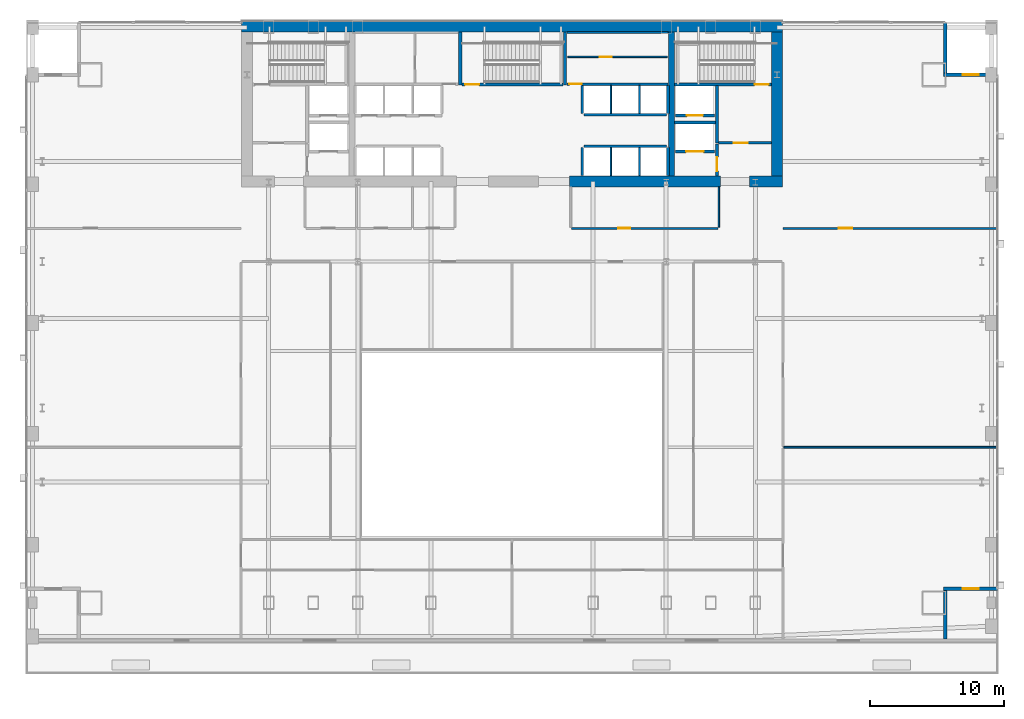
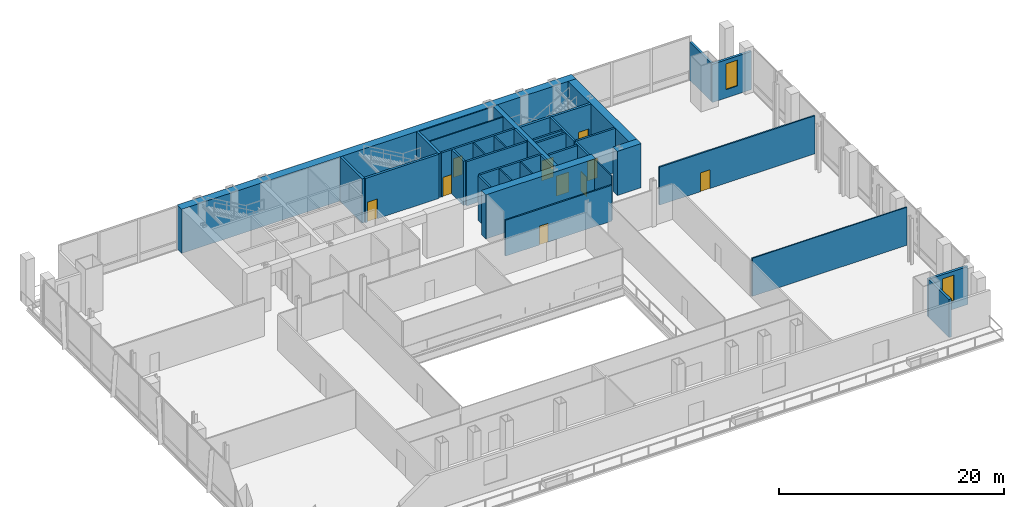
# One storey, part 22 of 26: 36 walls, 10 doors, 2 windows, 12 openings.
"""IFC4 building model written with IfcOpenShell, lengths in metres."""

import ifcopenshell
import ifcopenshell.guid

model = None  # the IFC model being written
_history = None  # IfcOwnerHistory: only IFC2X3 demands one
_inside = {}  # id of a spatial element -> (the spatial element, [elements in it])
_under = {}  # id of a project, library or spatial element -> (it, [spatial elements below it])
_declared = {}  # id of a project -> (the project, [libraries it declares])
_typed = {}  # id of a type object -> (the type object, [elements of that type])
_made_of = {}  # id of a material, layer set ... -> (it, [elements and type objects made of it])


def new_model(schema):
    """Start an empty IFC model of exactly this schema.

    Asked for "IFC4X3", IfcOpenShell would pick the latest addendum, in which some entities
    have other attributes; the version numbers below select the first issue.
    IFC2X3 requires an IfcOwnerHistory on every rooted entity: one is made here for all.
    """
    global model, _history
    if schema == "IFC4X3":
        model = ifcopenshell.file(schema_version=(4, 3, 0, 0))
    else:
        model = ifcopenshell.file(schema=schema)
    _inside.clear()
    _under.clear()
    _declared.clear()
    _typed.clear()
    _made_of.clear()
    _history = None
    if model.schema == "IFC2X3":
        org = make("IfcOrganization", Name="unknown")
        user = make(
            "IfcPersonAndOrganization",
            ThePerson=make("IfcPerson", FamilyName="unknown"),
            TheOrganization=org,
        )
        app = make(
            "IfcApplication",
            ApplicationDeveloper=org,
            Version="unknown",
            ApplicationFullName="unknown",
            ApplicationIdentifier="unknown",
        )
        _history = make(
            "IfcOwnerHistory",
            OwningUser=user,
            OwningApplication=app,
            ChangeAction="ADDED",
            CreationDate=0,
        )
    return model


def make(cls, **values):
    """One entity of the class cls with the attributes given. An attribute that is None is left unset."""
    return model.create_entity(
        cls, **{name: value for name, value in values.items() if value is not None}
    )


def rooted(cls, **values):
    """An entity with a GlobalId (a new one), such as an element, a storey or a relation."""
    return make(cls, GlobalId=ifcopenshell.guid.new(), OwnerHistory=_history, **values)


def si_unit(unit_type, name, prefix=None):
    """IfcSIUnit, for example si_unit("LENGTHUNIT", "METRE", prefix="MILLI")."""
    return make("IfcSIUnit", UnitType=unit_type, Prefix=prefix, Name=name)


def assignment(units):
    """IfcUnitAssignment: the units of a project."""
    return None if units is None else make("IfcUnitAssignment", Units=units)


def point(xyz):
    """IfcCartesianPoint."""
    return None if xyz is None else make("IfcCartesianPoint", Coordinates=xyz)


def direction(xyz):
    """IfcDirection."""
    return None if xyz is None else make("IfcDirection", DirectionRatios=xyz)


def frame(location, z_axis=None, x_axis=None):
    """IfcAxis2Placement3D, a coordinate frame: its origin and axes. An axis left out is left unset."""
    return make(
        "IfcAxis2Placement3D",
        Location=point(location),
        Axis=direction(z_axis),
        RefDirection=direction(x_axis),
    )


def frame_2d(location, x_axis=None):
    """IfcAxis2Placement2D, a coordinate frame in the plane: its origin and x axis."""
    return make(
        "IfcAxis2Placement2D", Location=point(location), RefDirection=direction(x_axis)
    )


def origin():
    """The frame at (0, 0, 0) with its axes left unset."""
    return frame((0.0, 0.0, 0.0))


def place(relative_to, where):
    """IfcLocalPlacement: puts the frame where relative to a parent placement (None: the world)."""
    return make(
        "IfcLocalPlacement", PlacementRelTo=relative_to, RelativePlacement=where
    )


def context(
    kind, dimensions, precision=None, world=None, true_north=None, identifier=None
):
    """IfcGeometricRepresentationContext, for example the 3D "Model" context."""
    return make(
        "IfcGeometricRepresentationContext",
        ContextIdentifier=identifier,
        ContextType=kind,
        CoordinateSpaceDimension=dimensions,
        Precision=precision,
        WorldCoordinateSystem=world,
        TrueNorth=true_north,
    )


def subcontext(parent, identifier, kind, view, scale=None):
    """IfcGeometricRepresentationSubContext, for example "Body" below "Model"."""
    return make(
        "IfcGeometricRepresentationSubContext",
        ContextIdentifier=identifier,
        ContextType=kind,
        ParentContext=parent,
        TargetScale=scale,
        TargetView=view,
    )


def project(units=None, contexts=None):
    """IfcProject with its units and contexts."""
    return rooted(
        "IfcProject",
        Name="project",
        RepresentationContexts=contexts,
        UnitsInContext=assignment(units),
    )


def spatial(cls, under=None, at=None, **own):
    """A site, building, storey or space (cls), placed at a placement, below another one or the project."""
    s = rooted(cls, ObjectPlacement=at, **own)
    if under is not None:
        _under.setdefault(under.id(), (under, []))[1].append(s)
    return s


def profile(cls, at=None, kind="AREA", **sizes):
    """A parametric profile (cls). Its sizes go by their IFC names, for example OverallWidth=200.0."""
    return make(cls, ProfileType=kind, Position=at, **sizes)


def rectangle(**sizes):
    """IfcRectangleProfileDef."""
    return profile("IfcRectangleProfileDef", **sizes)


def extrude(swept, where, along, depth):
    """IfcExtrudedAreaSolid: the profile swept, set in the frame where, extruded along a direction by depth."""
    return make(
        "IfcExtrudedAreaSolid",
        SweptArea=swept,
        Position=where,
        ExtrudedDirection=direction(along),
        Depth=depth,
    )


def shape(context_of_items, identifier, shape_type, items):
    """IfcShapeRepresentation: the items that make up one representation, for example the "Body"."""
    return make(
        "IfcShapeRepresentation",
        ContextOfItems=context_of_items,
        RepresentationIdentifier=identifier,
        RepresentationType=shape_type,
        Items=items,
    )


def material(Name=None, Category=None):
    """IfcMaterial."""
    return make("IfcMaterial", Name=Name, Category=Category)


def layer(
    of_material, thickness, ventilated=None, Name=None, Category=None, Priority=None
):
    """IfcMaterialLayer: one layer of a wall or slab, of a material (None: an air gap)."""
    return make(
        "IfcMaterialLayer",
        Material=of_material,
        LayerThickness=thickness,
        IsVentilated=ventilated,
        Name=Name,
        Category=Category,
        Priority=Priority,
    )


def layer_set(layers, Name=None):
    """IfcMaterialLayerSet."""
    return make("IfcMaterialLayerSet", MaterialLayers=layers, LayerSetName=Name)


def made_of(thing, what):
    """Note that an element or type object is made of a material, layer set ...; save() writes the relation."""
    if what is not None:
        _made_of.setdefault(what.id(), (what, []))[1].append(thing)
    return thing


def type_object(cls, material=None, **own):
    """A type object (cls), such as IfcWallType, which elements share."""
    return made_of(rooted(cls, **own), material)


def element(
    cls,
    number,
    at=None,
    inside=None,
    cuts=None,
    type_object=None,
    material=None,
    context=None,
    identifier="Body",
    shape_type=None,
    held_by="IfcProductDefinitionShape",
    body=None,
    shapes=None,
    **own,
):
    """One element of the class cls, such as IfcWall. Its Tag is "e" and its number.

    at: its placement. inside: the storey or other place that contains it. cuts: it is an
    opening in that element (IfcRelVoidsElement). A single representation is given by context,
    identifier, shape_type and body (its items); several are given by shapes. held_by: the class
    of the entity that holds the representations. save() writes the other relations.
    """
    e = rooted(cls, Tag="e%d" % number, ObjectPlacement=at, **own)
    if body is not None:
        shapes = [shape(context, identifier, shape_type, body)]
    if shapes is not None:
        e.Representation = make(held_by, Representations=shapes)
    if inside is not None:
        _inside.setdefault(inside.id(), (inside, []))[1].append(e)
    if cuts is not None:
        rooted(
            "IfcRelVoidsElement", RelatingBuildingElement=cuts, RelatedOpeningElement=e
        )
    if type_object is not None:
        _typed.setdefault(type_object.id(), (type_object, []))[1].append(e)
    return made_of(e, material)


def fill(opening, filler):
    """IfcRelFillsElement: the door or window that sits in an opening."""
    return rooted(
        "IfcRelFillsElement",
        RelatingOpeningElement=opening,
        RelatedBuildingElement=filler,
    )


def aggregate(whole, parts):
    """IfcRelAggregates: a whole, such as a stair, and the parts it consists of."""
    return rooted("IfcRelAggregates", RelatingObject=whole, RelatedObjects=parts)


def save(model, path):
    """Write the relations noted so far, then the file.

    IfcRelAggregates (storeys below a building ...), IfcRelContainedInSpatialStructure (elements
    in a storey), IfcRelDefinesByType, IfcRelAssociatesMaterial and IfcRelDeclares: one each for
    every whole, place, type object, material and project.
    """
    for whole, parts in _under.values():
        aggregate(whole, parts)
    for where, things in _inside.values():
        rooted(
            "IfcRelContainedInSpatialStructure",
            RelatedElements=things,
            RelatingStructure=where,
        )
    for kind, things in _typed.values():
        rooted("IfcRelDefinesByType", RelatedObjects=things, RelatingType=kind)
    for what, things in _made_of.values():
        rooted("IfcRelAssociatesMaterial", RelatedObjects=things, RelatingMaterial=what)
    for by, libraries in _declared.values():
        rooted("IfcRelDeclares", RelatingContext=by, RelatedDefinitions=libraries)
    model.write(path)


model = new_model("IFC4")

# Units and contexts
model_context = context("Model", 3, precision=1e-05, world=origin(), true_north=direction((0.0, 1.0)))
body_context = subcontext(model_context, "Body", "Model", "MODEL_VIEW")
ifc_project = project(units=[si_unit("LENGTHUNIT", "METRE"), si_unit("AREAUNIT", "SQUARE_METRE"), si_unit("VOLUMEUNIT", "CUBIC_METRE"), si_unit("PLANEANGLEUNIT", "RADIAN"), si_unit("MASSUNIT", "GRAM", prefix="KILO")], contexts=[model_context])

# Site, building, storey
site_placement = place(None, origin())
site = spatial("IfcSite", under=ifc_project, at=site_placement, CompositionType="ELEMENT")
building_placement = place(site_placement, origin())
building = spatial("IfcBuilding", under=site, at=building_placement, Name="Khoronbel Lancet Exchange", CompositionType="ELEMENT")
storey_placement = place(building_placement, frame((0.0, 0.0, 5.39990234375)))
storey = spatial("IfcBuildingStorey", under=building, at=storey_placement, Name="L01", CompositionType="ELEMENT", Elevation=5.39990234375)

# Walls
ifc_material_1 = material(Name="Concrete C80/95", Category="concrete")
ifc_layer_1 = layer(ifc_material_1, 0.800048828125, Name="Concrete C80/95")
ifc_layer_set_1 = layer_set([ifc_layer_1], Name="Concrete C80/95")
wall_type_1 = type_object("IfcWallType", Name="WL-CW1", PredefinedType="SHEAR", material=ifc_layer_set_1)
wall_1_placement = place(storey_placement, frame((16.199951171875, 53.300048828125, 0.0), z_axis=(0.0, 0.0, 1.0), x_axis=(1.0, 0.0, 0.0)))
element("IfcWall", 1, at=wall_1_placement, inside=storey, type_object=wall_type_1, Name="Level L01 rear core north shear wall", PredefinedType="SHEAR", context=body_context, shape_type="SweptSolid", body=[
    extrude(rectangle(XDim=40.5, YDim=0.800048828125, at=frame_2d((20.25, 0.0))), origin(), (0.0, 0.0, 1.0), 4.800048828125),
])
wall_2_placement = place(storey_placement, frame((56.300048828125, 52.89990234375, 0.0), z_axis=(0.0, 0.0, 1.0), x_axis=(0.0, -1.0, 0.0)))
element("IfcWall", 2, at=wall_2_placement, inside=storey, type_object=wall_type_1, Name="Level L01 rear core east shear wall", PredefinedType="SHEAR", context=body_context, shape_type="SweptSolid", body=[
    extrude(rectangle(XDim=10.7998046875, YDim=0.800048828125, at=frame_2d((5.39990234375, 0.0))), origin(), (0.0, 0.0, 1.0), 4.800048828125),
])
wall_3_placement = place(storey_placement, frame((52.050048828125, 41.699951171875, 0.0), z_axis=(0.0, 0.0, 1.0), x_axis=(-1.0, 0.0, 0.0)))
element("IfcWall", 3, at=wall_3_placement, inside=storey, type_object=wall_type_1, Name="Level L01 rear core south shear wall pier P4", PredefinedType="SHEAR", context=body_context, shape_type="SweptSolid", body=[
    extrude(rectangle(XDim=11.300048828125, YDim=0.800048828125, at=frame_2d((5.64990234375, 0.0))), origin(), (0.0, 0.0, 1.0), 4.800048828125),
])
wall_4_placement = place(storey_placement, frame((56.699951171875, 41.699951171875, 0.0), z_axis=(0.0, 0.0, 1.0), x_axis=(-1.0, 0.0, 0.0)))
element("IfcWall", 4, at=wall_4_placement, inside=storey, type_object=wall_type_1, Name="Level L01 rear core south shear wall pier P5", PredefinedType="SHEAR", context=body_context, shape_type="SweptSolid", body=[
    extrude(rectangle(XDim=2.449951171875, YDim=0.800048828125, at=frame_2d((1.22509765625, 0.0))), origin(), (0.0, 0.0, 1.0), 4.800048828125),
])

# Wall, opening, window
ifc_material_2 = material(Name="Precast concrete C40/50", Category="concrete")
ifc_layer_2 = layer(ifc_material_2, 0.25, Name="Precast concrete C40/50")
ifc_layer_set_2 = layer_set([ifc_layer_2], Name="Precast concrete C40/50")
wall_type_2 = type_object("IfcWallType", Name="WL-EXT250", PredefinedType="SOLIDWALL", material=ifc_layer_set_2)
wall_5_placement = place(storey_placement, frame((68.77490234375, 49.699951171875, 0.0), z_axis=(0.0, 0.0, 1.0), x_axis=(1.0, 0.0, 0.0)))
wall_5 = element("IfcWall", 5, at=wall_5_placement, inside=storey, type_object=wall_type_2, Name="Level L01 corner notch exterior wall NEL1", PredefinedType="SOLIDWALL", context=body_context, shape_type="SweptSolid", body=[
    extrude(rectangle(XDim=4.045166015625, YDim=0.25, at=frame_2d((2.0224609375, 0.0))), origin(), (0.0, 0.0, 1.0), 4.14013671875),
])
opening_1_placement = place(wall_5_placement, frame((1.422607421875, 0.0, 0.89990234375)))
opening_1 = element("IfcOpeningElement", 6, at=opening_1_placement, cuts=wall_5, Name="Opening W2", PredefinedType="OPENING", context=body_context, shape_type="SweptSolid", body=[
    extrude(rectangle(XDim=1.199951171875, YDim=2.800048828125, at=frame_2d((0.60009765625, 1.39990234375))), frame((0.0, 0.135009765625, 0.0), z_axis=(0.0, -1.0, 0.0), x_axis=(1.0, 0.0, 0.0)), (0.0, 0.0, 1.0), 0.27001953125),
])
ifc_material_3 = material(Name="Low-E Solar Control Insulating Glass", Category="glass")
window_type = type_object("IfcWindowType", Name="WIN-W2", PartitioningType="SINGLE_PANEL", PredefinedType="WINDOW", material=ifc_material_3)
window_1_placement = place(opening_1_placement, origin())
window_1 = element("IfcWindow", 7, at=window_1_placement, inside=storey, type_object=window_type, Name="WIN-L01-NEL1", OverallHeight=2.800048828125, OverallWidth=1.199951171875, PartitioningType="SINGLE_PANEL", PredefinedType="WINDOW", context=body_context, shape_type="SweptSolid", body=[
    extrude(rectangle(XDim=1.199951171875, YDim=2.800048828125, at=frame_2d((0.60009765625, 1.39990234375))), frame((0.0, 0.030029296875, 0.0), z_axis=(0.0, -1.0, 0.0), x_axis=(1.0, 0.0, 0.0)), (0.0, 0.0, 1.0), 0.06005859375),
])
fill(opening_1, window_1)

wall_6_placement = place(storey_placement, frame((72.820068359375, 11.199951171875, 0.0), z_axis=(0.0, 0.0, 1.0), x_axis=(-1.0, 0.0, 0.0)))
wall_6 = element("IfcWall", 8, at=wall_6_placement, inside=storey, type_object=wall_type_2, Name="Level L01 corner notch exterior wall SEL1", PredefinedType="SOLIDWALL", context=body_context, shape_type="SweptSolid", body=[
    extrude(rectangle(XDim=4.045166015625, YDim=0.25, at=frame_2d((2.0224609375, 0.0))), origin(), (0.0, 0.0, 1.0), 4.14013671875),
])
opening_2_placement = place(wall_6_placement, frame((1.422607421875, 0.0, 0.89990234375)))
opening_2 = element("IfcOpeningElement", 9, at=opening_2_placement, cuts=wall_6, Name="Opening W2", PredefinedType="OPENING", context=body_context, shape_type="SweptSolid", body=[
    extrude(rectangle(XDim=1.199951171875, YDim=2.800048828125, at=frame_2d((0.60009765625, 1.39990234375))), frame((0.0, 0.135009765625, 0.0), z_axis=(0.0, -1.0, 0.0), x_axis=(1.0, 0.0, 0.0)), (0.0, 0.0, 1.0), 0.27001953125),
])
window_2_placement = place(opening_2_placement, origin())
window_2 = element("IfcWindow", 10, at=window_2_placement, inside=storey, type_object=window_type, Name="WIN-L01-SEL1", OverallHeight=2.800048828125, OverallWidth=1.199951171875, PartitioningType="SINGLE_PANEL", PredefinedType="WINDOW", context=body_context, shape_type="SweptSolid", body=[
    extrude(rectangle(XDim=1.199951171875, YDim=2.800048828125, at=frame_2d((0.60009765625, 1.39990234375))), frame((0.0, 0.030029296875, 0.0), z_axis=(0.0, -1.0, 0.0), x_axis=(1.0, 0.0, 0.0)), (0.0, 0.0, 1.0), 0.06005859375),
])
fill(opening_2, window_2)

# Walls
wall_7_placement = place(storey_placement, frame((68.89990234375, 53.6201171875, 0.0), z_axis=(0.0, 0.0, 1.0), x_axis=(0.0, -1.0, 0.0)))
element("IfcWall", 11, at=wall_7_placement, inside=storey, type_object=wall_type_2, Name="Level L01 corner notch exterior wall NEV1", PredefinedType="SOLIDWALL", context=body_context, shape_type="SweptSolid", body=[
    extrude(rectangle(XDim=3.795166015625, YDim=0.25, at=frame_2d((1.8974609375, 0.0))), origin(), (0.0, 0.0, 1.0), 4.14013671875),
])
wall_8_placement = place(storey_placement, frame((68.89990234375, 11.074951171875, 0.0), z_axis=(0.0, 0.0, 1.0), x_axis=(0.0, -1.0, 0.0)))
element("IfcWall", 12, at=wall_8_placement, inside=storey, type_object=wall_type_2, Name="Level L01 corner notch exterior wall SEV1", PredefinedType="SOLIDWALL", context=body_context, shape_type="SweptSolid", body=[
    extrude(rectangle(XDim=3.625, YDim=0.25, at=frame_2d((1.8125, 0.0))), origin(), (0.0, 0.0, 1.0), 4.14013671875),
])
ifc_material_4 = material(Name="Acoustic Metal-Stud & Mineral-Wool Gypsum Partition 120 mm", Category="gypsum")
ifc_layer_3 = layer(ifc_material_4, 0.1201171875, Name="Acoustic Metal-Stud & Mineral-Wool Gypsum Partition 120 mm")
ifc_layer_set_3 = layer_set([ifc_layer_3], Name="Acoustic Metal-Stud & Mineral-Wool Gypsum Partition 120 mm")
wall_type_3 = type_object("IfcWallType", Name="WL-PRT120", PredefinedType="PARTITIONING", material=ifc_layer_set_3)
wall_9_placement = place(storey_placement, frame((56.820068359375, 21.800048828125, 0.0), z_axis=(0.0, 0.0, 1.0), x_axis=(1.0, 0.0, 0.0)))
element("IfcWall", 13, at=wall_9_placement, inside=storey, type_object=wall_type_3, Name="Level L01 interior partition PW-PD-EH", PredefinedType="PARTITIONING", context=body_context, shape_type="SweptSolid", body=[
    extrude(rectangle(XDim=15.89990234375, YDim=0.1201171875, at=frame_2d((7.949951171875, 0.0))), origin(), (0.0, 0.0, 1.0), 4.14013671875),
])
wall_10_placement = place(storey_placement, frame((51.949951171875, 38.280029296875, 0.0), z_axis=(0.0, 0.0, 1.0), x_axis=(0.0, 1.0, 0.0)))
element("IfcWall", 14, at=wall_10_placement, inside=storey, type_object=wall_type_3, Name="Level L01 interior partition PW-PD-NP1", PredefinedType="PARTITIONING", context=body_context, shape_type="SweptSolid", body=[
    extrude(rectangle(XDim=3.02001953125, YDim=0.1201171875, at=frame_2d((1.510009765625, 0.0))), origin(), (0.0, 0.0, 1.0), 4.800048828125),
])
ifc_material_5 = material(Name="Fire-Rated Metal-Stud & Mineral-Wool Gypsum Partition 120 mm", Category="gypsum")
ifc_layer_4 = layer(ifc_material_5, 0.1201171875, Name="Fire-Rated Metal-Stud & Mineral-Wool Gypsum Partition 120 mm")
ifc_layer_set_4 = layer_set([ifc_layer_4], Name="Fire-Rated Metal-Stud & Mineral-Wool Gypsum Partition 120 mm")
wall_type_4 = type_object("IfcWallType", Name="WL-PRT120F", PredefinedType="PARTITIONING", material=ifc_layer_set_4)
for number, where, z_axis, x_axis, name in (
    (15, (43.860107421875, 46.804931640625, 0.0), (0.0, 0.0, 1.0), (0.0, 1.0, 0.0), "Level L01 interior partition CW-PH-D1"),
    (16, (46.0, 46.804931640625, 0.0), (0.0, 0.0, 1.0), (0.0, 1.0, 0.0), "Level L01 interior partition CW-PH-D2"),
):
    element("IfcWall", number, at=place(storey_placement, frame(where, z_axis=z_axis, x_axis=x_axis)), inside=storey, type_object=wall_type_4, Name=name, PredefinedType="PARTITIONING", context=body_context, shape_type="SweptSolid", body=[
        extrude(rectangle(XDim=2.090087890625, YDim=0.1201171875, at=frame_2d((1.044921875, 0.0))), origin(), (0.0, 0.0, 1.0), 4.800048828125),
    ])
for number, where, z_axis, x_axis, name in (
    (17, (43.860107421875, 42.14990234375, 0.0), (0.0, 0.0, 1.0), (0.0, 1.0, 0.0), "Level L01 interior partition CW-PX-D1"),
    (18, (46.0, 42.14990234375, 0.0), (0.0, 0.0, 1.0), (0.0, 1.0, 0.0), "Level L01 interior partition CW-PX-D2"),
):
    element("IfcWall", number, at=place(storey_placement, frame(where, z_axis=z_axis, x_axis=x_axis)), inside=storey, type_object=wall_type_4, Name=name, PredefinedType="PARTITIONING", context=body_context, shape_type="SweptSolid", body=[
        extrude(rectangle(XDim=2.09521484375, YDim=0.1201171875, at=frame_2d((1.047607421875, 0.0))), origin(), (0.0, 0.0, 1.0), 4.800048828125),
    ])
wall_11_placement = place(storey_placement, frame((40.580078125, 52.860107421875, 0.0), z_axis=(0.0, 0.0, 1.0), x_axis=(1.0, 0.0, 0.0)))
element("IfcWall", 19, at=wall_11_placement, inside=storey, type_object=wall_type_4, Name="Level L01 interior partition CW-SUP-NE-N", PredefinedType="PARTITIONING", context=body_context, shape_type="SweptSolid", body=[
    extrude(rectangle(XDim=7.559814453125, YDim=0.1201171875, at=frame_2d((3.77978515625, 0.0))), origin(), (0.0, 0.0, 1.0), 4.800048828125),
])

# Wall, opening, door
wall_12_placement = place(storey_placement, frame((40.6298828125, 51.0400390625, 0.0), z_axis=(0.0, 0.0, 1.0), x_axis=(1.0, 0.0, 0.0)))
wall_12 = element("IfcWall", 20, at=wall_12_placement, inside=storey, type_object=wall_type_4, Name="Level L01 interior partition CW-SUP-NE-H", PredefinedType="PARTITIONING", context=body_context, shape_type="SweptSolid", body=[
    extrude(rectangle(XDim=7.460205078125, YDim=0.1201171875, at=frame_2d((3.72998046875, 0.0))), origin(), (0.0, 0.0, 1.0), 4.800048828125),
])
opening_3_placement = place(wall_12_placement, frame((2.39990234375, 0.0, 0.0)))
opening_3 = element("IfcOpeningElement", 21, at=opening_3_placement, cuts=wall_12, Name="Opening FD4", PredefinedType="OPENING", context=body_context, shape_type="SweptSolid", body=[
    extrude(rectangle(XDim=0.89990234375, YDim=2.050048828125, at=frame_2d((0.449951171875, 1.02490234375))), frame((0.0, 0.070068359375, 0.0), z_axis=(0.0, -1.0, 0.0), x_axis=(1.0, 0.0, 0.0)), (0.0, 0.0, 1.0), 0.14013671875),
])
ifc_material_6 = material(Name="Fire-Rated Steel Core Support Door Assembly", Category="steel")
door_type_1 = type_object("IfcDoorType", Name="DR-FD4", OperationType="NOTDEFINED", PredefinedType="DOOR", material=ifc_material_6)
door_1_placement = place(opening_3_placement, origin())
door_1 = element("IfcDoor", 22, at=door_1_placement, inside=storey, type_object=door_type_1, Name="Core NE north store door L01-1", OperationType="SINGLE_SWING_RIGHT", OverallHeight=2.050048828125, OverallWidth=0.89990234375, PredefinedType="DOOR", context=body_context, shape_type="SweptSolid", body=[
    extrude(rectangle(XDim=0.89990234375, YDim=2.050048828125, at=frame_2d((0.449951171875, 1.02490234375))), frame((0.0, 0.02490234375, 0.0), z_axis=(0.0, -1.0, 0.0), x_axis=(1.0, 0.0, 0.0)), (0.0, 0.0, 1.0), 0.050048828125),
])
fill(opening_3, door_1)

ifc_material_7 = material(Name="Fire-Rated Twin-Stud Acoustic Gypsum Partition 150 mm", Category="gypsum")
ifc_layer_5 = layer(ifc_material_7, 0.14990234375, Name="Fire-Rated Twin-Stud Acoustic Gypsum Partition 150 mm")
ifc_layer_set_5 = layer_set([ifc_layer_5], Name="Fire-Rated Twin-Stud Acoustic Gypsum Partition 150 mm")
wall_type_5 = type_object("IfcWallType", Name="WL-PRT150C", PredefinedType="PARTITIONING", material=ifc_layer_set_5)
wall_13_placement = place(storey_placement, frame((56.739990234375, 38.199951171875, 0.0), z_axis=(0.0, 0.0, 1.0), x_axis=(1.0, 0.0, 0.0)))
wall_13 = element("IfcWall", 23, at=wall_13_placement, inside=storey, type_object=wall_type_5, Name="Level L01 interior partition PW-PD-NE", PredefinedType="PARTITIONING", context=body_context, shape_type="SweptSolid", body=[
    extrude(rectangle(XDim=15.97998046875, YDim=0.14990234375, at=frame_2d((7.989990234375, 0.0))), origin(), (0.0, 0.0, 1.0), 4.14013671875),
])
opening_4_placement = place(wall_13_placement, frame((4.199951171875, 0.0, 0.0)))
opening_4 = element("IfcOpeningElement", 24, at=opening_4_placement, cuts=wall_13, Name="Opening D2", PredefinedType="OPENING", context=body_context, shape_type="SweptSolid", body=[
    extrude(rectangle(XDim=1.0, YDim=2.050048828125, at=frame_2d((0.5, 1.02490234375))), frame((0.0, 0.0849609375, 0.0), z_axis=(0.0, -1.0, 0.0), x_axis=(1.0, 0.0, 0.0)), (0.0, 0.0, 1.0), 0.169921875),
])
ifc_material_8 = material(Name="Acoustic Veneered Timber & Bronze Frame Door", Category="wood")
door_type_2 = type_object("IfcDoorType", Name="DR-D2", OperationType="NOTDEFINED", PredefinedType="DOOR", material=ifc_material_8)
door_2_placement = place(opening_4_placement, origin())
door_2 = element("IfcDoor", 25, at=door_2_placement, inside=storey, type_object=door_type_2, Name="NE podium catering kitchen door L01-1", OperationType="SINGLE_SWING_LEFT", OverallHeight=2.050048828125, OverallWidth=1.0, PredefinedType="DOOR", context=body_context, shape_type="SweptSolid", body=[
    extrude(rectangle(XDim=1.0, YDim=2.050048828125, at=frame_2d((0.5, 1.02490234375))), frame((0.0, 0.02490234375, 0.0), z_axis=(0.0, -1.0, 0.0), x_axis=(1.0, 0.0, 0.0)), (0.0, 0.0, 1.0), 0.050048828125),
])
fill(opening_4, door_2)

wall_14_placement = place(storey_placement, frame((40.9150390625, 38.199951171875, 0.0), z_axis=(0.0, 0.0, 1.0), x_axis=(1.0, 0.0, 0.0)))
wall_14 = element("IfcWall", 26, at=wall_14_placement, inside=storey, type_object=wall_type_5, Name="Level L01 interior partition PW-PD-NP", PredefinedType="PARTITIONING", context=body_context, shape_type="SweptSolid", body=[
    extrude(rectangle(XDim=10.969970703125, YDim=0.14990234375, at=frame_2d((5.48486328125, 0.0))), origin(), (0.0, 0.0, 1.0), 3.89013671875),
])
opening_5_placement = place(wall_14_placement, frame((3.5, 0.0, 0.0)))
opening_5 = element("IfcOpeningElement", 27, at=opening_5_placement, cuts=wall_14, Name="Opening D5", PredefinedType="OPENING", context=body_context, shape_type="SweptSolid", body=[
    extrude(rectangle(XDim=0.89990234375, YDim=2.050048828125, at=frame_2d((0.449951171875, 1.02490234375))), frame((0.0, 0.0849609375, 0.0), z_axis=(0.0, -1.0, 0.0), x_axis=(1.0, 0.0, 0.0)), (0.0, 0.0, 1.0), 0.169921875),
])
ifc_material_9 = material(Name="Acoustic Timber Pantry & Support Door", Category="wood")
door_type_3 = type_object("IfcDoorType", Name="DR-D5", OperationType="NOTDEFINED", PredefinedType="DOOR", material=ifc_material_9)
door_3_placement = place(opening_5_placement, origin())
door_3 = element("IfcDoor", 28, at=door_3_placement, inside=storey, type_object=door_type_3, Name="Podium servery pantry door L01-1", OperationType="SINGLE_SWING_RIGHT", OverallHeight=2.050048828125, OverallWidth=0.89990234375, PredefinedType="DOOR", context=body_context, shape_type="SweptSolid", body=[
    extrude(rectangle(XDim=0.89990234375, YDim=2.050048828125, at=frame_2d((0.449951171875, 1.02490234375))), frame((0.0, 0.02490234375, 0.0), z_axis=(0.0, -1.0, 0.0), x_axis=(1.0, 0.0, 0.0)), (0.0, 0.0, 1.0), 0.050048828125),
])
fill(opening_5, door_3)

ifc_material_10 = material(Name="Autoclaved Aerated Concrete Blockwork 200 mm", Category="masonry")
ifc_layer_6 = layer(ifc_material_10, 0.199951171875, Name="Autoclaved Aerated Concrete Blockwork 200 mm")
ifc_layer_set_6 = layer_set([ifc_layer_6], Name="Autoclaved Aerated Concrete Blockwork 200 mm")
wall_type_6 = type_object("IfcWallType", Name="WL-PRT200", PredefinedType="PARTITIONING", material=ifc_layer_set_6)
wall_15_placement = place(storey_placement, frame((51.610107421875, 43.949951171875, 0.0), z_axis=(0.0, 0.0, 1.0), x_axis=(-1.0, 0.0, 0.0)))
wall_15 = element("IfcWall", 29, at=wall_15_placement, inside=storey, type_object=wall_type_6, Name="Level L01 elevator hoistway landing front wall SVLE", PredefinedType="PARTITIONING", context=body_context, shape_type="SweptSolid", body=[
    extrude(rectangle(XDim=2.920166015625, YDim=0.199951171875, at=frame_2d((1.4599609375, 0.0))), origin(), (0.0, 0.0, 1.0), 4.800048828125),
])
opening_6_placement = place(wall_15_placement, frame((0.81005859375, 0.0, 0.0)))
opening_6 = element("IfcOpeningElement", 30, at=opening_6_placement, cuts=wall_15, Name="Opening LD-SVL2", PredefinedType="OPENING", context=body_context, shape_type="SweptSolid", body=[
    extrude(rectangle(XDim=1.300048828125, YDim=2.179931640625, at=frame_2d((0.64990234375, 1.08984375))), frame((0.0, 0.10986328125, 0.0), z_axis=(0.0, -1.0, 0.0), x_axis=(1.0, 0.0, 0.0)), (0.0, 0.0, 1.0), 0.219970703125),
])
ifc_material_11 = material(Name="Heavy-Duty Bi-Parting Goods Lift Landing Door", Category="steel")
door_type_4 = type_object("IfcDoorType", Name="DR-LD-SVL", OperationType="NOTDEFINED", PredefinedType="DOOR", material=ifc_material_11)
door_4_placement = place(opening_6_placement, origin())
door_4 = element("IfcDoor", 31, at=door_4_placement, inside=storey, type_object=door_type_4, Name="Elevator landing sliding door LD-SVL2 L01", OperationType="SLIDING_TO_LEFT", OverallHeight=2.179931640625, OverallWidth=1.300048828125, PredefinedType="DOOR", context=body_context, shape_type="SweptSolid", body=[
    extrude(rectangle(XDim=1.300048828125, YDim=2.179931640625, at=frame_2d((0.64990234375, 1.08984375))), frame((0.0, 0.02490234375, 0.0), z_axis=(0.0, -1.0, 0.0), x_axis=(1.0, 0.0, 0.0)), (0.0, 0.0, 1.0), 0.050048828125),
])
fill(opening_6, door_4)

wall_16_placement = place(storey_placement, frame((51.610107421875, 46.64990234375, 0.0), z_axis=(0.0, 0.0, 1.0), x_axis=(-1.0, 0.0, 0.0)))
wall_16 = element("IfcWall", 32, at=wall_16_placement, inside=storey, type_object=wall_type_6, Name="Level L01 elevator hoistway landing front wall FFLE", PredefinedType="PARTITIONING", context=body_context, shape_type="SweptSolid", body=[
    extrude(rectangle(XDim=2.920166015625, YDim=0.199951171875, at=frame_2d((1.4599609375, 0.0))), origin(), (0.0, 0.0, 1.0), 4.800048828125),
])
opening_7_placement = place(wall_16_placement, frame((0.860107421875, 0.0, 0.0)))
opening_7 = element("IfcOpeningElement", 33, at=opening_7_placement, cuts=wall_16, Name="Opening LD-FFL2", PredefinedType="OPENING", context=body_context, shape_type="SweptSolid", body=[
    extrude(rectangle(XDim=1.199951171875, YDim=2.179931640625, at=frame_2d((0.60009765625, 1.08984375))), frame((0.0, 0.10986328125, 0.0), z_axis=(0.0, -1.0, 0.0), x_axis=(1.0, 0.0, 0.0)), (0.0, 0.0, 1.0), 0.219970703125),
])
ifc_material_12 = material(Name="Fire-Rated Stainless Bi-Parting Firefighting Lift Door", Category="steel")
door_type_5 = type_object("IfcDoorType", Name="DR-LD-FFL", OperationType="NOTDEFINED", PredefinedType="DOOR", material=ifc_material_12)
door_5_placement = place(opening_7_placement, origin())
door_5 = element("IfcDoor", 34, at=door_5_placement, inside=storey, type_object=door_type_5, Name="Elevator landing sliding door LD-FFL2 L01", OperationType="SLIDING_TO_LEFT", OverallHeight=2.179931640625, OverallWidth=1.199951171875, PredefinedType="DOOR", context=body_context, shape_type="SweptSolid", body=[
    extrude(rectangle(XDim=1.199951171875, YDim=2.179931640625, at=frame_2d((0.60009765625, 1.08984375))), frame((0.0, 0.02490234375, 0.0), z_axis=(0.0, -1.0, 0.0), x_axis=(1.0, 0.0, 0.0)), (0.0, 0.0, 1.0), 0.050048828125),
])
fill(opening_7, door_5)

# Wall
wall_17_placement = place(storey_placement, frame((51.800048828125, 44.60009765625, 0.0), z_axis=(0.0, 0.0, 1.0), x_axis=(0.0, 1.0, 0.0)))
element("IfcWall", 35, at=wall_17_placement, inside=storey, type_object=wall_type_6, Name="Level L01 interior partition CW-FFLE-W", PredefinedType="PARTITIONING", context=body_context, shape_type="SweptSolid", body=[
    extrude(rectangle(XDim=4.2998046875, YDim=0.199951171875, at=frame_2d((2.14990234375, 0.0))), origin(), (0.0, 0.0, 1.0), 4.800048828125),
])

# Wall, opening, door
wall_18_placement = place(storey_placement, frame((51.89990234375, 44.60009765625, 0.0), z_axis=(0.0, 0.0, 1.0), x_axis=(1.0, 0.0, 0.0)))
wall_18 = element("IfcWall", 36, at=wall_18_placement, inside=storey, type_object=wall_type_6, Name="Level L01 interior partition CW-FFLE-S", PredefinedType="PARTITIONING", context=body_context, shape_type="SweptSolid", body=[
    extrude(rectangle(XDim=4.0, YDim=0.199951171875, at=frame_2d((2.0, 0.0))), origin(), (0.0, 0.0, 1.0), 4.800048828125),
])
opening_8_placement = place(wall_18_placement, frame((1.14990234375, 0.0, 0.0)))
opening_8 = element("IfcOpeningElement", 37, at=opening_8_placement, cuts=wall_18, Name="Opening FD1", PredefinedType="OPENING", context=body_context, shape_type="SweptSolid", body=[
    extrude(rectangle(XDim=1.050048828125, YDim=2.14990234375, at=frame_2d((0.52490234375, 1.074951171875))), frame((0.0, 0.10986328125, 0.0), z_axis=(0.0, -1.0, 0.0), x_axis=(1.0, 0.0, 0.0)), (0.0, 0.0, 1.0), 0.219970703125),
])
ifc_material_13 = material(Name="Fire-Rated Painted Steel Door Assembly", Category="steel")
door_type_6 = type_object("IfcDoorType", Name="DR-FD1", OperationType="NOTDEFINED", PredefinedType="DOOR", material=ifc_material_13)
door_6_placement = place(opening_8_placement, origin())
door_6 = element("IfcDoor", 38, at=door_6_placement, inside=storey, type_object=door_type_6, Name="East firefighting lobby FD90S door L01-1", OperationType="SINGLE_SWING_LEFT", OverallHeight=2.14990234375, OverallWidth=1.050048828125, PredefinedType="DOOR", context=body_context, shape_type="SweptSolid", body=[
    extrude(rectangle(XDim=1.050048828125, YDim=2.14990234375, at=frame_2d((0.52490234375, 1.074951171875))), frame((0.0, 0.02490234375, 0.0), z_axis=(0.0, -1.0, 0.0), x_axis=(1.0, 0.0, 0.0)), (0.0, 0.0, 1.0), 0.050048828125),
])
fill(opening_8, door_6)

# Wall
wall_19_placement = place(storey_placement, frame((48.6298828125, 46.1201171875, 0.0), z_axis=(0.0, 0.0, 1.0), x_axis=(1.0, 0.0, 0.0)))
element("IfcWall", 39, at=wall_19_placement, inside=storey, type_object=wall_type_6, Name="Level L01 interior partition CW-FFL2-S", PredefinedType="PARTITIONING", context=body_context, shape_type="SweptSolid", body=[
    extrude(rectangle(XDim=3.070068359375, YDim=0.199951171875, at=frame_2d((1.53515625, 0.0))), origin(), (0.0, 0.0, 1.0), 4.800048828125),
])

# Wall, opening, door
wall_20_placement = place(storey_placement, frame((51.800048828125, 42.10009765625, 0.0), z_axis=(0.0, 0.0, 1.0), x_axis=(0.0, 1.0, 0.0)))
wall_20 = element("IfcWall", 40, at=wall_20_placement, inside=storey, type_object=wall_type_6, Name="Level L01 interior partition CW-SVLE-E", PredefinedType="PARTITIONING", context=body_context, shape_type="SweptSolid", body=[
    extrude(rectangle(XDim=2.39501953125, YDim=0.199951171875, at=frame_2d((1.197509765625, 0.0))), origin(), (0.0, 0.0, 1.0), 4.800048828125),
])
opening_9_placement = place(wall_20_placement, frame((0.3798828125, 0.0, 0.0)))
opening_9 = element("IfcOpeningElement", 41, at=opening_9_placement, cuts=wall_20, Name="Opening FD1", PredefinedType="OPENING", context=body_context, shape_type="SweptSolid", body=[
    extrude(rectangle(XDim=1.050048828125, YDim=2.14990234375, at=frame_2d((0.52490234375, 1.074951171875))), frame((0.0, 0.10986328125, 0.0), z_axis=(0.0, -1.0, 0.0), x_axis=(1.0, 0.0, 0.0)), (0.0, 0.0, 1.0), 0.219970703125),
])
door_7_placement = place(opening_9_placement, origin())
door_7 = element("IfcDoor", 42, at=door_7_placement, inside=storey, type_object=door_type_6, Name="East service lift lobby door L01-1", OperationType="SINGLE_SWING_RIGHT", OverallHeight=2.14990234375, OverallWidth=1.050048828125, PredefinedType="DOOR", context=body_context, shape_type="SweptSolid", body=[
    extrude(rectangle(XDim=1.050048828125, YDim=2.14990234375, at=frame_2d((0.52490234375, 1.074951171875))), frame((0.0, 0.02490234375, 0.0), z_axis=(0.0, -1.0, 0.0), x_axis=(1.0, 0.0, 0.0)), (0.0, 0.0, 1.0), 0.050048828125),
])
fill(opening_9, door_7)

# Walls
wall_21_placement = place(storey_placement, frame((41.824951171875, 46.699951171875, 0.0), z_axis=(0.0, 0.0, 1.0), x_axis=(1.0, 0.0, 0.0)))
element("IfcWall", 43, at=wall_21_placement, inside=storey, type_object=wall_type_6, Name="Level L01 interior partition CW-PH-EXP", PredefinedType="PARTITIONING", context=body_context, shape_type="SweptSolid", body=[
    extrude(rectangle(XDim=6.2099609375, YDim=0.199951171875, at=frame_2d((3.10498046875, 0.0))), origin(), (0.0, 0.0, 1.0), 4.800048828125),
])
for number, where, z_axis, x_axis, name in (
    (44, (41.719970703125, 46.804931640625, 0.0), (0.0, 0.0, 1.0), (0.0, 1.0, 0.0), "Level L01 interior partition CW-PH-W"),
    (45, (48.139892578125, 46.804931640625, 0.0), (0.0, 0.0, 1.0), (0.0, 1.0, 0.0), "Level L01 interior partition CW-PH-E"),
):
    element("IfcWall", number, at=place(storey_placement, frame(where, z_axis=z_axis, x_axis=x_axis)), inside=storey, type_object=wall_type_6, Name=name, PredefinedType="PARTITIONING", context=body_context, shape_type="SweptSolid", body=[
        extrude(rectangle(XDim=2.090087890625, YDim=0.199951171875, at=frame_2d((1.044921875, 0.0))), origin(), (0.0, 0.0, 1.0), 4.800048828125),
    ])
wall_22_placement = place(storey_placement, frame((41.824951171875, 44.35009765625, 0.0), z_axis=(0.0, 0.0, 1.0), x_axis=(1.0, 0.0, 0.0)))
element("IfcWall", 46, at=wall_22_placement, inside=storey, type_object=wall_type_6, Name="Level L01 interior partition CW-PX-EXP", PredefinedType="PARTITIONING", context=body_context, shape_type="SweptSolid", body=[
    extrude(rectangle(XDim=6.2099609375, YDim=0.199951171875, at=frame_2d((3.10498046875, 0.0))), origin(), (0.0, 0.0, 1.0), 4.800048828125),
])
for number, where, z_axis, x_axis, name in (
    (47, (41.719970703125, 42.14990234375, 0.0), (0.0, 0.0, 1.0), (0.0, 1.0, 0.0), "Level L01 interior partition CW-PX-W"),
    (48, (48.139892578125, 42.14990234375, 0.0), (0.0, 0.0, 1.0), (0.0, 1.0, 0.0), "Level L01 interior partition CW-PX-E"),
):
    element("IfcWall", number, at=place(storey_placement, frame(where, z_axis=z_axis, x_axis=x_axis)), inside=storey, type_object=wall_type_6, Name=name, PredefinedType="PARTITIONING", context=body_context, shape_type="SweptSolid", body=[
        extrude(rectangle(XDim=2.09521484375, YDim=0.199951171875, at=frame_2d((1.047607421875, 0.0))), origin(), (0.0, 0.0, 1.0), 4.800048828125),
    ])

# Wall, opening, door
wall_23_placement = place(storey_placement, frame((40.580078125, 49.0, 0.0), z_axis=(0.0, 0.0, 1.0), x_axis=(1.0, 0.0, 0.0)))
wall_23 = element("IfcWall", 49, at=wall_23_placement, inside=storey, type_object=wall_type_6, Name="Level L01 interior partition CW-SUP-NE-S", PredefinedType="PARTITIONING", context=body_context, shape_type="SweptSolid", body=[
    extrude(rectangle(XDim=7.559814453125, YDim=0.199951171875, at=frame_2d((3.77978515625, 0.0))), origin(), (0.0, 0.0, 1.0), 4.800048828125),
])
opening_10_placement = place(wall_23_placement, frame((0.159912109375, 0.0, 0.0)))
opening_10 = element("IfcOpeningElement", 50, at=opening_10_placement, cuts=wall_23, Name="Opening FD3", PredefinedType="OPENING", context=body_context, shape_type="SweptSolid", body=[
    extrude(rectangle(XDim=0.949951171875, YDim=2.10009765625, at=frame_2d((0.47509765625, 1.050048828125))), frame((0.0, 0.10986328125, 0.0), z_axis=(0.0, -1.0, 0.0), x_axis=(1.0, 0.0, 0.0)), (0.0, 0.0, 1.0), 0.219970703125),
])
ifc_material_14 = material(Name="Fire-Rated Steel Plant & Riser Door Assembly", Category="steel")
door_type_7 = type_object("IfcDoorType", Name="DR-FD3", OperationType="NOTDEFINED", PredefinedType="DOOR", material=ifc_material_14)
door_8_placement = place(opening_10_placement, origin())
door_8 = element("IfcDoor", 51, at=door_8_placement, inside=storey, type_object=door_type_7, Name="Core NE support room door L01-1", OperationType="SINGLE_SWING_LEFT", OverallHeight=2.10009765625, OverallWidth=0.949951171875, PredefinedType="DOOR", context=body_context, shape_type="SweptSolid", body=[
    extrude(rectangle(XDim=0.949951171875, YDim=2.10009765625, at=frame_2d((0.47509765625, 1.050048828125))), frame((0.0, 0.02490234375, 0.0), z_axis=(0.0, -1.0, 0.0), x_axis=(1.0, 0.0, 0.0)), (0.0, 0.0, 1.0), 0.050048828125),
])
fill(opening_10, door_8)

# Walls
ifc_layer_7 = layer(ifc_material_1, 0.449951171875, Name="Concrete C80/95")
ifc_layer_set_7 = layer_set([ifc_layer_7], Name="Concrete C80/95")
wall_type_7 = type_object("IfcWallType", Name="WL-SW1", PredefinedType="SHEAR", material=ifc_layer_set_7)
wall_24_placement = place(storey_placement, frame((48.39990234375, 42.10009765625, 0.0), z_axis=(0.0, 0.0, 1.0), x_axis=(0.0, 1.0, 0.0)))
element("IfcWall", 52, at=wall_24_placement, inside=storey, type_object=wall_type_7, Name="Level L01 rear core internal spine shear wall IE", PredefinedType="SHEAR", context=body_context, shape_type="SweptSolid", body=[
    extrude(rectangle(XDim=10.7998046875, YDim=0.449951171875, at=frame_2d((5.39990234375, 0.0))), origin(), (0.0, 0.0, 1.0), 4.800048828125),
])
ifc_material_15 = material(Name="Concrete C60/75", Category="concrete")
ifc_layer_8 = layer(ifc_material_15, 0.260009765625, Name="Concrete C60/75")
ifc_layer_set_8 = layer_set([ifc_layer_8], Name="Concrete C60/75")
wall_type_8 = type_object("IfcWallType", Name="WL-SW3", PredefinedType="SHEAR", material=ifc_layer_set_8)
for number, where, z_axis, x_axis, name in (
    (53, (32.580078125, 48.949951171875, 0.0), (0.0, 0.0, 1.0), (0.0, 1.0, 0.0), "Level L01 central stairwell structural shear wall ST3W"),
    (54, (40.419921875, 48.949951171875, 0.0), (0.0, 0.0, 1.0), (0.0, 1.0, 0.0), "Level L01 central stairwell structural shear wall ST3E"),
):
    element("IfcWall", number, at=place(storey_placement, frame(where, z_axis=z_axis, x_axis=x_axis)), inside=storey, type_object=wall_type_8, Name=name, PredefinedType="SHEAR", context=body_context, shape_type="SweptSolid", body=[
        extrude(rectangle(XDim=3.949951171875, YDim=0.260009765625, at=frame_2d((1.97509765625, 0.0))), origin(), (0.0, 0.0, 1.0), 4.800048828125),
    ])

# Wall, opening, door
wall_25_placement = place(storey_placement, frame((48.6298828125, 48.97998046875, 0.0), z_axis=(0.0, 0.0, 1.0), x_axis=(1.0, 0.0, 0.0)))
wall_25 = element("IfcWall", 55, at=wall_25_placement, inside=storey, type_object=wall_type_8, Name="Level L01 east stairwell structural south wall", PredefinedType="SHEAR", context=body_context, shape_type="SweptSolid", body=[
    extrude(rectangle(XDim=7.27001953125, YDim=0.239990234375, at=frame_2d((3.635009765625, 0.0))), origin(), (0.0, 0.0, 1.0), 4.800048828125),
])
opening_11_placement = place(wall_25_placement, frame((6.0, 0.0, 0.0)))
opening_11 = element("IfcOpeningElement", 56, at=opening_11_placement, cuts=wall_25, Name="Opening SD1", PredefinedType="OPENING", context=body_context, shape_type="SweptSolid", body=[
    extrude(rectangle(XDim=1.050048828125, YDim=2.14990234375, at=frame_2d((0.52490234375, 1.074951171875))), frame((0.0, 0.1298828125, 0.0), z_axis=(0.0, -1.0, 0.0), x_axis=(1.0, 0.0, 0.0)), (0.0, 0.0, 1.0), 0.260009765625),
])
ifc_material_16 = material(Name="Fire-Rated Steel Stairwell Door Assembly", Category="steel")
door_type_8 = type_object("IfcDoorType", Name="DR-SD1", OperationType="NOTDEFINED", PredefinedType="DOOR", material=ifc_material_16)
door_9_placement = place(opening_11_placement, origin())
door_9 = element("IfcDoor", 57, at=door_9_placement, inside=storey, type_object=door_type_8, Name="Protected exit stair ST2 door L01", OperationType="SINGLE_SWING_RIGHT", OverallHeight=2.14990234375, OverallWidth=1.050048828125, PredefinedType="DOOR", context=body_context, shape_type="SweptSolid", body=[
    extrude(rectangle(XDim=1.050048828125, YDim=2.14990234375, at=frame_2d((0.52490234375, 1.074951171875))), frame((0.0, 0.02490234375, 0.0), z_axis=(0.0, -1.0, 0.0), x_axis=(1.0, 0.0, 0.0)), (0.0, 0.0, 1.0), 0.050048828125),
])
fill(opening_11, door_9)

wall_26_placement = place(storey_placement, frame((32.719970703125, 48.97998046875, 0.0), z_axis=(0.0, 0.0, 1.0), x_axis=(1.0, 0.0, 0.0)))
wall_26 = element("IfcWall", 58, at=wall_26_placement, inside=storey, type_object=wall_type_8, Name="Level L01 central stairwell structural south wall", PredefinedType="SHEAR", context=body_context, shape_type="SweptSolid", body=[
    extrude(rectangle(XDim=7.56005859375, YDim=0.239990234375, at=frame_2d((3.780029296875, 0.0))), origin(), (0.0, 0.0, 1.0), 4.800048828125),
])
opening_12_placement = place(wall_26_placement, frame((0.219970703125, 0.0, 0.0)))
opening_12 = element("IfcOpeningElement", 59, at=opening_12_placement, cuts=wall_26, Name="Opening SD1", PredefinedType="OPENING", context=body_context, shape_type="SweptSolid", body=[
    extrude(rectangle(XDim=1.050048828125, YDim=2.14990234375, at=frame_2d((0.52490234375, 1.074951171875))), frame((0.0, 0.1298828125, 0.0), z_axis=(0.0, -1.0, 0.0), x_axis=(1.0, 0.0, 0.0)), (0.0, 0.0, 1.0), 0.260009765625),
])
door_10_placement = place(opening_12_placement, origin())
door_10 = element("IfcDoor", 60, at=door_10_placement, inside=storey, type_object=door_type_8, Name="Protected exit stair ST3 door L01", OperationType="SINGLE_SWING_LEFT", OverallHeight=2.14990234375, OverallWidth=1.050048828125, PredefinedType="DOOR", context=body_context, shape_type="SweptSolid", body=[
    extrude(rectangle(XDim=1.050048828125, YDim=2.14990234375, at=frame_2d((0.52490234375, 1.074951171875))), frame((0.0, 0.02490234375, 0.0), z_axis=(0.0, -1.0, 0.0), x_axis=(1.0, 0.0, 0.0)), (0.0, 0.0, 1.0), 0.050048828125),
])
fill(opening_12, door_10)

save(model, "model.ifc")
